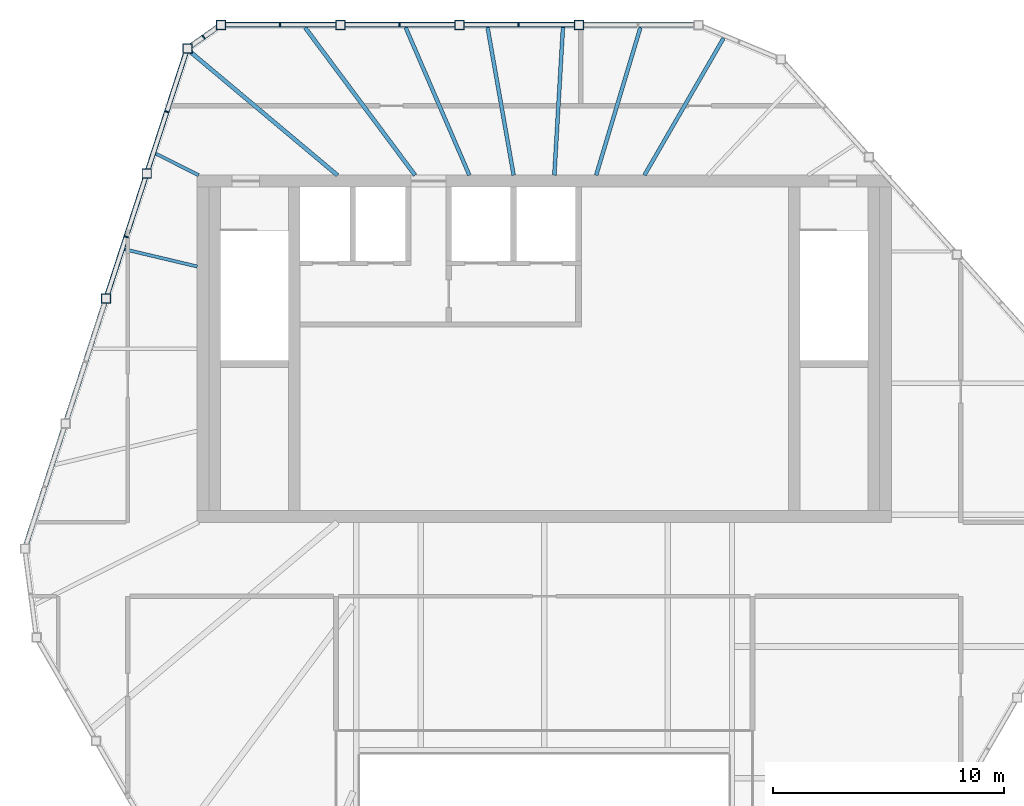
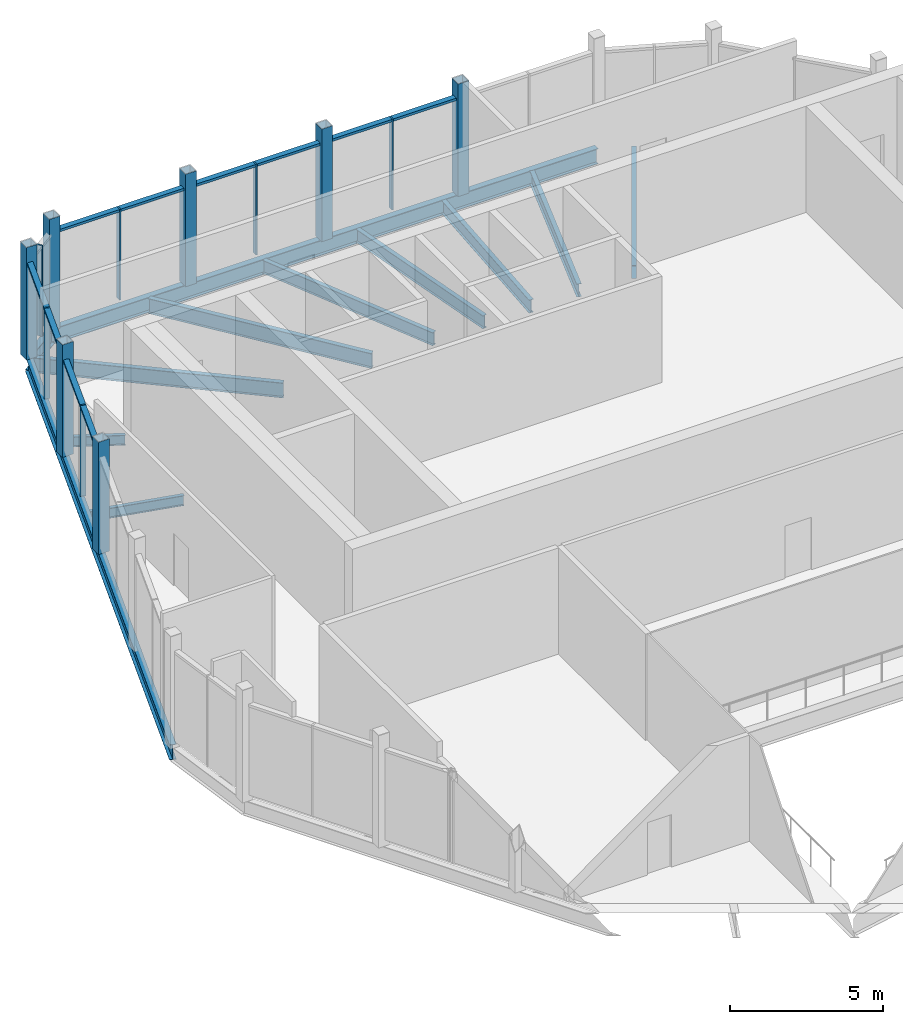
# One storey, part 5 of 10: 23 members, 12 beams, 3 elements without a shape of their own.
"""IFC4 building model written with IfcOpenShell, lengths in metres."""

from ifc_helpers import new_model, si_unit, direction, frame, origin, origin_2d, place, context, subcontext, project, spatial, rectangle, hollow_rectangle, i_section, extrude, material, layer, layer_set, material_profile, profile_set, type_object, element, aggregate, save


model = new_model("IFC4")

# Units and contexts
model_context = context("Model", 3, precision=1e-05, world=origin(), true_north=direction((0.0, 1.0)))
body_context = subcontext(model_context, "Body", "Model", "MODEL_VIEW")
ifc_project = project(units=[si_unit("LENGTHUNIT", "METRE"), si_unit("AREAUNIT", "SQUARE_METRE"), si_unit("VOLUMEUNIT", "CUBIC_METRE"), si_unit("PLANEANGLEUNIT", "RADIAN"), si_unit("MASSUNIT", "GRAM", prefix="KILO")], contexts=[model_context])

# Site, building, storey
site_placement = place(None, origin())
site = spatial("IfcSite", under=ifc_project, at=site_placement, CompositionType="ELEMENT")
building_placement = place(site_placement, origin())
building = spatial("IfcBuilding", under=site, at=building_placement, Name="Isthmus Gate Tower", CompositionType="ELEMENT")
storey_placement = place(building_placement, frame((0.0, 0.0, 311.10009765625)))
storey = spatial("IfcBuildingStorey", under=building, at=storey_placement, Name="C3", CompositionType="ELEMENT", Elevation=311.10009765625)

# Members
ifc_material_1 = material(Name="Structural steel ASTM A500 Gr C", Category="steel")
ifc_material_profile_1 = material_profile(ifc_material_1, hollow_rectangle(XDim=0.406494140625, YDim=0.406494140625, WallThickness=0.017578125, at=origin_2d()), Name="HSS16X16X3/4")
ifc_profile_set_1 = profile_set([ifc_material_profile_1], Name="Structural steel ASTM A500 Gr C")
member_type_1 = type_object("IfcMemberType", Name="CROWN POST HSS16X16X3/4", PredefinedType="POST", material=ifc_profile_set_1)
for number, where, z_axis, x_axis, name in (
    (1, (1.502685546875, 21.5, -0.25), (0.0, 0.0, 1.0), (1.0, 0.0, 0.0), "str-crownpost-C3-02"),
    (2, (-3.65478515625, 21.5, -0.25), (0.0, 0.0, 1.0), (1.0, 0.0, 0.0), "str-crownpost-C3-03"),
    (3, (-8.81201171875, 21.5, -0.25), (0.0, 0.0, 1.0), (1.0, 0.0, 0.0), "str-crownpost-C3-04"),
    (4, (-13.96923828125, 21.5, -0.25), (0.0, 0.0, 1.0), (1.0, 0.0, 0.0), "str-crownpost-C3-05"),
    (5, (-15.425048828125, 20.475830078125, -0.25), (0.0, 0.0, 1.0), (1.0, 0.0, 0.0), "str-crownpost-C3-06"),
    (6, (-17.18115234375, 15.071044921875, -0.25), (0.0, 0.0, 1.0), (1.0, 0.0, 0.0), "str-crownpost-C3-07"),
    (7, (-18.937255859375, 9.666015625, -0.25), (0.0, 0.0, 1.0), (1.0, 0.0, 0.0), "str-crownpost-C3-08"),
):
    element("IfcMember", number, at=place(storey_placement, frame(where, z_axis=z_axis, x_axis=x_axis)), inside=storey, type_object=member_type_1, Name=name, PredefinedType="POST", context=body_context, shape_type="SweptSolid", body=[
        extrude(hollow_rectangle(XDim=0.406494140625, YDim=0.406494140625, WallThickness=0.017578125, at=origin_2d()), origin(), (0.0, 0.0, 1.0), 4.5),
    ])

# Beams
ifc_material_2 = material(Name="Structural steel ASTM A992 Gr 50", Category="steel")
ifc_material_profile_2 = material_profile(ifc_material_2, i_section(OverallWidth=0.231689453125, OverallDepth=0.615966796875, WebThickness=0.0126953125, FlangeThickness=0.022216796875, at=origin_2d()), Name="W24X94")
ifc_profile_set_2 = profile_set([ifc_material_profile_2], Name="Structural steel ASTM A992 Gr 50")
beam_type_1 = type_object("IfcBeamType", Name="CROWN RING BEAM W24X94", PredefinedType="BEAM", material=ifc_profile_set_2)
beam_1_placement = place(storey_placement, frame((6.659912109375, 21.5, -0.55810546875), z_axis=(-1.0, 0.0, 0.0), x_axis=(0.0, -1.0, 0.0)))
element("IfcBeam", 8, at=beam_1_placement, inside=storey, type_object=beam_type_1, Name="str-crownring-C3-00", PredefinedType="BEAM", context=body_context, shape_type="SweptSolid", body=[
    extrude(i_section(OverallWidth=0.231689453125, OverallDepth=0.615966796875, WebThickness=0.0126953125, FlangeThickness=0.022216796875, at=origin_2d()), origin(), (0.0, 0.0, 1.0), 20.629150390625),
])
beam_2_placement = place(storey_placement, frame((-13.96923828125, 21.5, -0.55810546875), z_axis=(-0.817882919468, -0.575384680055, 0.0), x_axis=(0.575384680055, -0.817882919468, 0.0)))
element("IfcBeam", 9, at=beam_2_placement, inside=storey, type_object=beam_type_1, Name="str-crownring-C3-01", PredefinedType="BEAM", context=body_context, shape_type="SweptSolid", body=[
    extrude(i_section(OverallWidth=0.231689453125, OverallDepth=0.615966796875, WebThickness=0.0126953125, FlangeThickness=0.022216796875, at=origin_2d()), origin(), (0.0, 0.0, 1.0), 1.780029296875),
])
beam_3_placement = place(storey_placement, frame((-15.425048828125, 20.475830078125, -0.55810546875), z_axis=(-0.309011031074, -0.951058453868, 0.0), x_axis=(0.951058453868, -0.309011031074, 0.0)))
element("IfcBeam", 10, at=beam_3_placement, inside=storey, type_object=beam_type_1, Name="str-crownring-C3-02", PredefinedType="BEAM", context=body_context, shape_type="SweptSolid", body=[
    extrude(i_section(OverallWidth=0.231689453125, OverallDepth=0.615966796875, WebThickness=0.0126953125, FlangeThickness=0.022216796875, at=origin_2d()), origin(), (0.0, 0.0, 1.0), 22.73193359375),
])

# Curtain wall, members
ifc_material_3 = material(Name="Aluminium, pale champagne anodised", Category="aluminium")
ifc_layer = layer(ifc_material_3, 0.199951171875)
ifc_layer_set = layer_set([ifc_layer], Name="CW-2 LOUVRE CURTAIN WALL 200 DEEP")
curtain_wall_type = type_object("IfcCurtainWallType", Name="CW-2 LOUVRE CURTAIN WALL 200 DEEP", PredefinedType="NOTDEFINED", material=ifc_layer_set)
curtain_wall_1_placement = place(storey_placement, origin())
curtain_wall_1 = element("IfcCurtainWall", 11, at=curtain_wall_1_placement, inside=storey, type_object=curtain_wall_type, Name="CW-2 E00 C3", PredefinedType="NOTDEFINED")
ifc_material_4 = material(Name="Aluminium, pale champagne anodised", Category="aluminium")
ifc_material_profile_3 = material_profile(ifc_material_4, rectangle(XDim=0.06005859375, YDim=0.199951171875, at=origin_2d()), Name="60x200")
ifc_profile_set_3 = profile_set([ifc_material_profile_3], Name="Aluminium, pale champagne anodised")
member_type_2 = type_object("IfcMemberType", Name="CW-2 MULLION 60 X 200", PredefinedType="MULLION", material=ifc_profile_set_3)
member_1_placement = place(storey_placement, frame((-1.10595703125, 21.5, 0.0), z_axis=(0.0, 0.0, 1.0), x_axis=(-1.0, 0.0, 0.0)))
member_1 = element("IfcMember", 12, at=member_1_placement, type_object=member_type_2, Name="CW-2 mullion", PredefinedType="MULLION", context=body_context, shape_type="SweptSolid", body=[
    extrude(rectangle(XDim=0.06005859375, YDim=0.199951171875, at=origin_2d()), origin(), (0.0, 0.0, 1.0), 3.634033203125),
])
member_2_placement = place(storey_placement, frame((-6.263427734375, 21.5, 0.0), z_axis=(0.0, 0.0, 1.0), x_axis=(-1.0, 0.0, 0.0)))
member_2 = element("IfcMember", 13, at=member_2_placement, type_object=member_type_2, Name="CW-2 mullion", PredefinedType="MULLION", context=body_context, shape_type="SweptSolid", body=[
    extrude(rectangle(XDim=0.06005859375, YDim=0.199951171875, at=origin_2d()), origin(), (0.0, 0.0, 1.0), 3.634033203125),
])
member_3_placement = place(storey_placement, frame((-11.420654296875, 21.5, 0.0), z_axis=(0.0, 0.0, 1.0), x_axis=(-1.0, 0.0, 0.0)))
member_3 = element("IfcMember", 14, at=member_3_placement, type_object=member_type_2, Name="CW-2 mullion", PredefinedType="MULLION", context=body_context, shape_type="SweptSolid", body=[
    extrude(rectangle(XDim=0.06005859375, YDim=0.199951171875, at=origin_2d()), origin(), (0.0, 0.0, 1.0), 3.634033203125),
])

# Curtain wall, member
curtain_wall_2_placement = place(storey_placement, origin())
curtain_wall_2 = element("IfcCurtainWall", 15, at=curtain_wall_2_placement, inside=storey, type_object=curtain_wall_type, Name="CW-2 E01 C3", PredefinedType="NOTDEFINED")
member_4_placement = place(storey_placement, frame((-14.7216796875, 20.970703125, 0.0), z_axis=(0.0, 0.0, 1.0), x_axis=(-0.81785959165, -0.57541783805, 0.0)))
member_4 = element("IfcMember", 16, at=member_4_placement, type_object=member_type_2, Name="CW-2 mullion", PredefinedType="MULLION", context=body_context, shape_type="SweptSolid", body=[
    extrude(rectangle(XDim=0.06005859375, YDim=0.199951171875, at=origin_2d()), origin(), (0.0, 0.0, 1.0), 3.634033203125),
])
aggregate(curtain_wall_2, [member_4])

# Curtain wall, members
curtain_wall_3_placement = place(storey_placement, origin())
curtain_wall_3 = element("IfcCurtainWall", 17, at=curtain_wall_3_placement, inside=storey, type_object=curtain_wall_type, Name="CW-2 E02 C3", PredefinedType="NOTDEFINED")
member_5_placement = place(storey_placement, frame((-16.312255859375, 17.744873046875, 0.0), z_axis=(0.0, 0.0, 1.0), x_axis=(-0.309016994375, -0.951056516295, 0.0)))
member_5 = element("IfcMember", 18, at=member_5_placement, type_object=member_type_2, Name="CW-2 mullion", PredefinedType="MULLION", context=body_context, shape_type="SweptSolid", body=[
    extrude(rectangle(XDim=0.06005859375, YDim=0.199951171875, at=origin_2d()), origin(), (0.0, 0.0, 1.0), 3.634033203125),
])
member_6_placement = place(storey_placement, frame((-18.068359375, 12.340087890625, 0.0), z_axis=(0.0, 0.0, 1.0), x_axis=(-0.309016994375, -0.951056516295, 0.0)))
member_6 = element("IfcMember", 19, at=member_6_placement, type_object=member_type_2, Name="CW-2 mullion", PredefinedType="MULLION", context=body_context, shape_type="SweptSolid", body=[
    extrude(rectangle(XDim=0.06005859375, YDim=0.199951171875, at=origin_2d()), origin(), (0.0, 0.0, 1.0), 3.634033203125),
])

# Member
ifc_material_5 = material(Name="Aluminium, pale champagne anodised", Category="aluminium")
ifc_material_profile_4 = material_profile(ifc_material_5, rectangle(XDim=0.199951171875, YDim=0.10009765625, at=origin_2d()), Name="200x100")
ifc_profile_set_4 = profile_set([ifc_material_profile_4], Name="Aluminium, pale champagne anodised")
member_type_3 = type_object("IfcMemberType", Name="CW-2 TRANSOM 200 X 100", PredefinedType="USERDEFINED", material=ifc_profile_set_4)
member_7_placement = place(storey_placement, frame((1.299560546875, 21.5, 3.583984375), z_axis=(-1.0, 0.0, 0.0), x_axis=(0.0, -1.0, 0.0)))
member_7 = element("IfcMember", 20, at=member_7_placement, type_object=member_type_3, Name="CW-2 transom", ObjectType="TRANSOM", PredefinedType="USERDEFINED", context=body_context, shape_type="SweptSolid", body=[
    extrude(rectangle(XDim=0.199951171875, YDim=0.10009765625, at=origin_2d()), origin(), (0.0, 0.0, 1.0), 2.37548828125),
])

member_8_placement = place(storey_placement, frame((-1.135986328125, 21.5, 3.583984375), z_axis=(-1.0, 0.0, 0.0), x_axis=(0.0, -1.0, 0.0)))
member_8 = element("IfcMember", 21, at=member_8_placement, type_object=member_type_3, Name="CW-2 transom", ObjectType="TRANSOM", PredefinedType="USERDEFINED", context=body_context, shape_type="SweptSolid", body=[
    extrude(rectangle(XDim=0.199951171875, YDim=0.10009765625, at=origin_2d()), origin(), (0.0, 0.0, 1.0), 2.3154296875),
])

member_9_placement = place(storey_placement, frame((-3.85791015625, 21.5, 3.583984375), z_axis=(-1.0, 0.0, 0.0), x_axis=(0.0, -1.0, 0.0)))
member_9 = element("IfcMember", 22, at=member_9_placement, type_object=member_type_3, Name="CW-2 transom", ObjectType="TRANSOM", PredefinedType="USERDEFINED", context=body_context, shape_type="SweptSolid", body=[
    extrude(rectangle(XDim=0.199951171875, YDim=0.10009765625, at=origin_2d()), origin(), (0.0, 0.0, 1.0), 2.37548828125),
])

member_10_placement = place(storey_placement, frame((-6.293212890625, 21.5, 3.583984375), z_axis=(-1.0, 0.0, 0.0), x_axis=(0.0, -1.0, 0.0)))
member_10 = element("IfcMember", 23, at=member_10_placement, type_object=member_type_3, Name="CW-2 transom", ObjectType="TRANSOM", PredefinedType="USERDEFINED", context=body_context, shape_type="SweptSolid", body=[
    extrude(rectangle(XDim=0.199951171875, YDim=0.10009765625, at=origin_2d()), origin(), (0.0, 0.0, 1.0), 2.315673828125),
])

member_11_placement = place(storey_placement, frame((-9.01513671875, 21.5, 3.583984375), z_axis=(-1.0, 0.0, 0.0), x_axis=(0.0, -1.0, 0.0)))
member_11 = element("IfcMember", 24, at=member_11_placement, type_object=member_type_3, Name="CW-2 transom", ObjectType="TRANSOM", PredefinedType="USERDEFINED", context=body_context, shape_type="SweptSolid", body=[
    extrude(rectangle(XDim=0.199951171875, YDim=0.10009765625, at=origin_2d()), origin(), (0.0, 0.0, 1.0), 2.37548828125),
])

member_12_placement = place(storey_placement, frame((-11.45068359375, 21.5, 3.583984375), z_axis=(-1.0, 0.0, 0.0), x_axis=(0.0, -1.0, 0.0)))
member_12 = element("IfcMember", 25, at=member_12_placement, type_object=member_type_3, Name="CW-2 transom", ObjectType="TRANSOM", PredefinedType="USERDEFINED", context=body_context, shape_type="SweptSolid", body=[
    extrude(rectangle(XDim=0.199951171875, YDim=0.10009765625, at=origin_2d()), origin(), (0.0, 0.0, 1.0), 2.3154296875),
])

aggregate(curtain_wall_1, [member_7, member_1, member_8, member_9, member_2, member_10, member_11, member_3, member_12])

member_13_placement = place(storey_placement, frame((-15.48779296875, 20.28271484375, 3.583984375), z_axis=(-0.308973082722, -0.951070782935, 0.0), x_axis=(0.951070782935, -0.308973082722, 0.0)))
member_13 = element("IfcMember", 26, at=member_13_placement, type_object=member_type_3, Name="CW-2 transom", ObjectType="TRANSOM", PredefinedType="USERDEFINED", context=body_context, shape_type="SweptSolid", body=[
    extrude(rectangle(XDim=0.199951171875, YDim=0.10009765625, at=origin_2d()), origin(), (0.0, 0.0, 1.0), 2.638427734375),
])

member_14_placement = place(storey_placement, frame((-16.321533203125, 17.71630859375, 3.583984375), z_axis=(-0.309060379712, -0.951042418451, 0.0), x_axis=(0.951042418451, -0.309060379712, 0.0)))
member_14 = element("IfcMember", 27, at=member_14_placement, type_object=member_type_3, Name="CW-2 transom", ObjectType="TRANSOM", PredefinedType="USERDEFINED", context=body_context, shape_type="SweptSolid", body=[
    extrude(rectangle(XDim=0.199951171875, YDim=0.10009765625, at=origin_2d()), origin(), (0.0, 0.0, 1.0), 2.578369140625),
])

member_15_placement = place(storey_placement, frame((-17.243896484375, 14.877685546875, 3.583984375), z_axis=(-0.309000276774, -0.951061948011, 0.0), x_axis=(0.951061948011, -0.309000276774, 0.0)))
member_15 = element("IfcMember", 28, at=member_15_placement, type_object=member_type_3, Name="CW-2 transom", ObjectType="TRANSOM", PredefinedType="USERDEFINED", context=body_context, shape_type="SweptSolid", body=[
    extrude(rectangle(XDim=0.199951171875, YDim=0.10009765625, at=origin_2d()), origin(), (0.0, 0.0, 1.0), 2.63818359375),
])

member_16_placement = place(storey_placement, frame((-18.07763671875, 12.3115234375, 3.583984375), z_axis=(-0.309060379712, -0.951042418451, 0.0), x_axis=(0.951042418451, -0.309060379712, 0.0)))
member_16 = element("IfcMember", 29, at=member_16_placement, type_object=member_type_3, Name="CW-2 transom", ObjectType="TRANSOM", PredefinedType="USERDEFINED", context=body_context, shape_type="SweptSolid", body=[
    extrude(rectangle(XDim=0.199951171875, YDim=0.10009765625, at=origin_2d()), origin(), (0.0, 0.0, 1.0), 2.578369140625),
])

aggregate(curtain_wall_3, [member_13, member_5, member_14, member_15, member_6, member_16])

# Beams
ifc_material_6 = material(Name="Structural steel ASTM A992 Gr 50", Category="steel")
ifc_material_profile_5 = material_profile(ifc_material_6, i_section(OverallWidth=0.1396484375, OverallDepth=0.4033203125, WebThickness=0.00634765625, FlangeThickness=0.010986328125, at=origin_2d()), Name="W16X31")
ifc_profile_set_5 = profile_set([ifc_material_profile_5], Name="Structural steel ASTM A992 Gr 50")
beam_type_2 = type_object("IfcBeamType", Name="STEEL FLOOR BEAM W16X31", PredefinedType="JOIST", material=ifc_profile_set_5)
beam_4_placement = place(storey_placement, frame((-14.933837890625, 15.0, -0.45166015625), z_axis=(-0.893622598521, 0.448819174515, 0.0), x_axis=(-0.448819174515, -0.893622598521, 0.0)))
element("IfcBeam", 30, at=beam_4_placement, inside=storey, type_object=beam_type_2, Name="str-beam-C3-00-09", PredefinedType="JOIST", context=body_context, shape_type="SweptSolid", body=[
    extrude(i_section(OverallWidth=0.1396484375, OverallDepth=0.4033203125, WebThickness=0.00634765625, FlangeThickness=0.010986328125, at=origin_2d()), origin(), (0.0, 0.0, 1.0), 2.067138671875),
])
beam_5_placement = place(storey_placement, frame((-15.0, 11.05517578125, -0.45166015625), z_axis=(-0.973048858966, 0.230599041768, 0.0), x_axis=(-0.230599041768, -0.973048858966, 0.0)))
element("IfcBeam", 31, at=beam_5_placement, inside=storey, type_object=beam_type_2, Name="str-beam-C3-00-10", PredefinedType="JOIST", context=body_context, shape_type="SweptSolid", body=[
    extrude(i_section(OverallWidth=0.1396484375, OverallDepth=0.4033203125, WebThickness=0.00634765625, FlangeThickness=0.010986328125, at=origin_2d()), origin(), (0.0, 0.0, 1.0), 3.2099609375),
])
ifc_material_7 = material(Name="Structural steel ASTM A992 Gr 50", Category="steel")
ifc_material_profile_6 = material_profile(ifc_material_7, i_section(OverallWidth=0.1650390625, OverallDepth=0.52392578125, WebThickness=0.009521484375, FlangeThickness=0.010986328125, at=origin_2d()), Name="W21X44")
ifc_profile_set_6 = profile_set([ifc_material_profile_6], Name="Structural steel ASTM A992 Gr 50")
beam_type_3 = type_object("IfcBeamType", Name="STEEL FLOOR BEAM W21X44", PredefinedType="JOIST", material=ifc_profile_set_6)
beam_6_placement = place(storey_placement, frame((4.330078125, 15.0, -0.511962890625), z_axis=(0.500009887181, 0.866019695343, 0.0), x_axis=(-0.866019695343, 0.500009887181, 0.0)))
element("IfcBeam", 32, at=beam_6_placement, inside=storey, type_object=beam_type_3, Name="str-beam-C3-00-02", PredefinedType="JOIST", context=body_context, shape_type="SweptSolid", body=[
    extrude(i_section(OverallWidth=0.1650390625, OverallDepth=0.52392578125, WebThickness=0.009521484375, FlangeThickness=0.010986328125, at=origin_2d()), origin(), (0.0, 0.0, 1.0), 6.837646484375),
])
beam_7_placement = place(storey_placement, frame((2.245361328125, 15.0, -0.511962890625), z_axis=(0.286820154799, 0.957984446012, 0.0), x_axis=(-0.957984446012, 0.286820154799, 0.0)))
element("IfcBeam", 33, at=beam_7_placement, inside=storey, type_object=beam_type_3, Name="str-beam-C3-00-03", PredefinedType="JOIST", context=body_context, shape_type="SweptSolid", body=[
    extrude(i_section(OverallWidth=0.1650390625, OverallDepth=0.52392578125, WebThickness=0.009521484375, FlangeThickness=0.010986328125, at=origin_2d()), origin(), (0.0, 0.0, 1.0), 6.6640625),
])
beam_8_placement = place(storey_placement, frame((0.436767578125, 15.0, -0.511962890625), z_axis=(0.058144607621, 0.99830817116, 0.0), x_axis=(-0.99830817116, 0.058144607621, 0.0)))
element("IfcBeam", 34, at=beam_8_placement, inside=storey, type_object=beam_type_3, Name="str-beam-C3-00-04", PredefinedType="JOIST", context=body_context, shape_type="SweptSolid", body=[
    extrude(i_section(OverallWidth=0.1650390625, OverallDepth=0.52392578125, WebThickness=0.009521484375, FlangeThickness=0.010986328125, at=origin_2d()), origin(), (0.0, 0.0, 1.0), 6.394775390625),
])
beam_9_placement = place(storey_placement, frame((-1.322509765625, 15.0, -0.511962890625), z_axis=(-0.173656424488, 0.984806298839, 0.0), x_axis=(-0.984806298839, -0.173656424488, 0.0)))
element("IfcBeam", 35, at=beam_9_placement, inside=storey, type_object=beam_type_3, Name="str-beam-C3-00-05", PredefinedType="JOIST", context=body_context, shape_type="SweptSolid", body=[
    extrude(i_section(OverallWidth=0.1650390625, OverallDepth=0.52392578125, WebThickness=0.009521484375, FlangeThickness=0.010986328125, at=origin_2d()), origin(), (0.0, 0.0, 1.0), 6.482421875),
])
beam_10_placement = place(storey_placement, frame((-3.235107421875, 15.0, -0.511962890625), z_axis=(-0.396092272434, 0.918210712047, 0.0), x_axis=(-0.918210712047, -0.396092272434, 0.0)))
element("IfcBeam", 36, at=beam_10_placement, inside=storey, type_object=beam_type_3, Name="str-beam-C3-00-06", PredefinedType="JOIST", context=body_context, shape_type="SweptSolid", body=[
    extrude(i_section(OverallWidth=0.1650390625, OverallDepth=0.52392578125, WebThickness=0.009521484375, FlangeThickness=0.010986328125, at=origin_2d()), origin(), (0.0, 0.0, 1.0), 6.95263671875),
])
ifc_material_8 = material(Name="Structural steel ASTM A992 Gr 50", Category="steel")
ifc_material_profile_7 = material_profile(ifc_material_8, i_section(OverallWidth=0.177734375, OverallDepth=0.60009765625, WebThickness=0.009521484375, FlangeThickness=0.0126953125, at=origin_2d()), Name="W24X55")
ifc_profile_set_7 = profile_set([ifc_material_profile_7], Name="Structural steel ASTM A992 Gr 50")
beam_type_4 = type_object("IfcBeamType", Name="STEEL FLOOR BEAM W24X55", PredefinedType="JOIST", material=ifc_profile_set_7)
beam_11_placement = place(storey_placement, frame((-5.58349609375, 15.0, -0.550048828125), z_axis=(-0.5971741985, 0.802111573689, 0.0), x_axis=(-0.802111573689, -0.5971741985, 0.0)))
element("IfcBeam", 37, at=beam_11_placement, inside=storey, type_object=beam_type_4, Name="str-beam-C3-00-07", PredefinedType="JOIST", context=body_context, shape_type="SweptSolid", body=[
    extrude(i_section(OverallWidth=0.177734375, OverallDepth=0.60009765625, WebThickness=0.009521484375, FlangeThickness=0.0126953125, at=origin_2d()), origin(), (0.0, 0.0, 1.0), 7.958984375),
])
beam_12_placement = place(storey_placement, frame((-8.938232421875, 15.0, -0.550048828125), z_axis=(-0.766051343839, 0.64277938564, 0.0), x_axis=(-0.64277938564, -0.766051343839, 0.0)))
element("IfcBeam", 38, at=beam_12_placement, inside=storey, type_object=beam_type_4, Name="str-beam-C3-00-08", PredefinedType="JOIST", context=body_context, shape_type="SweptSolid", body=[
    extrude(i_section(OverallWidth=0.177734375, OverallDepth=0.60009765625, WebThickness=0.009521484375, FlangeThickness=0.0126953125, at=origin_2d()), origin(), (0.0, 0.0, 1.0), 8.353759765625),
])

save(model, "model.ifc")
